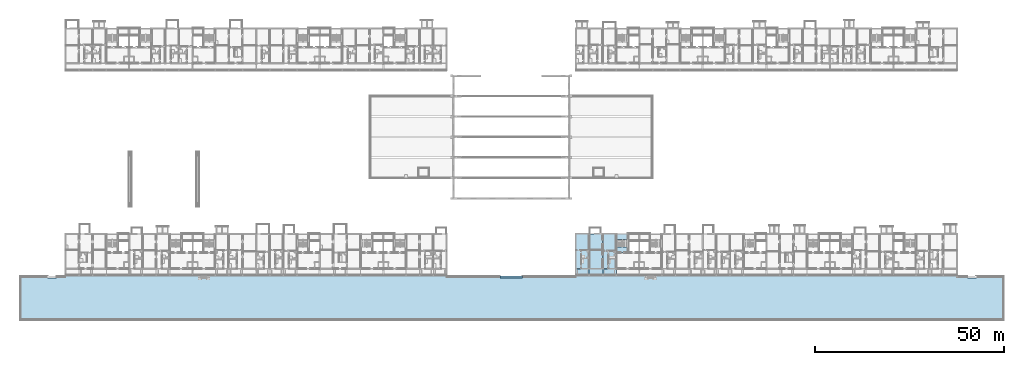
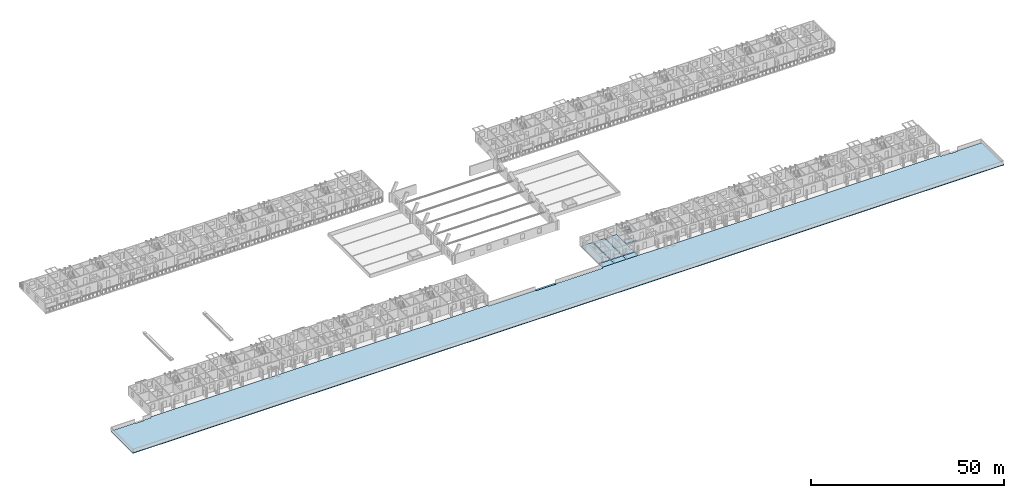
# One storey, part 35 of 115: 10 slabs, 1 element without a shape of its own.
"""IFC4 building model written with IfcOpenShell, lengths in metres."""

import ifcopenshell
import ifcopenshell.guid

model = None  # the IFC model being written
_history = None  # IfcOwnerHistory: only IFC2X3 demands one
_inside = {}  # id of a spatial element -> (the spatial element, [elements in it])
_under = {}  # id of a project, library or spatial element -> (it, [spatial elements below it])
_declared = {}  # id of a project -> (the project, [libraries it declares])
_typed = {}  # id of a type object -> (the type object, [elements of that type])
_made_of = {}  # id of a material, layer set ... -> (it, [elements and type objects made of it])


def new_model(schema):
    """Start an empty IFC model of exactly this schema.

    Asked for "IFC4X3", IfcOpenShell would pick the latest addendum, in which some entities
    have other attributes; the version numbers below select the first issue.
    IFC2X3 requires an IfcOwnerHistory on every rooted entity: one is made here for all.
    """
    global model, _history
    if schema == "IFC4X3":
        model = ifcopenshell.file(schema_version=(4, 3, 0, 0))
    else:
        model = ifcopenshell.file(schema=schema)
    _inside.clear()
    _under.clear()
    _declared.clear()
    _typed.clear()
    _made_of.clear()
    _history = None
    if model.schema == "IFC2X3":
        org = make("IfcOrganization", Name="unknown")
        user = make(
            "IfcPersonAndOrganization",
            ThePerson=make("IfcPerson", FamilyName="unknown"),
            TheOrganization=org,
        )
        app = make(
            "IfcApplication",
            ApplicationDeveloper=org,
            Version="unknown",
            ApplicationFullName="unknown",
            ApplicationIdentifier="unknown",
        )
        _history = make(
            "IfcOwnerHistory",
            OwningUser=user,
            OwningApplication=app,
            ChangeAction="ADDED",
            CreationDate=0,
        )
    return model


def make(cls, **values):
    """One entity of the class cls with the attributes given. An attribute that is None is left unset."""
    return model.create_entity(
        cls, **{name: value for name, value in values.items() if value is not None}
    )


def rooted(cls, **values):
    """An entity with a GlobalId (a new one), such as an element, a storey or a relation."""
    return make(cls, GlobalId=ifcopenshell.guid.new(), OwnerHistory=_history, **values)


def si_unit(unit_type, name, prefix=None):
    """IfcSIUnit, for example si_unit("LENGTHUNIT", "METRE", prefix="MILLI")."""
    return make("IfcSIUnit", UnitType=unit_type, Prefix=prefix, Name=name)


def assignment(units):
    """IfcUnitAssignment: the units of a project."""
    return None if units is None else make("IfcUnitAssignment", Units=units)


def point(xyz):
    """IfcCartesianPoint."""
    return None if xyz is None else make("IfcCartesianPoint", Coordinates=xyz)


def direction(xyz):
    """IfcDirection."""
    return None if xyz is None else make("IfcDirection", DirectionRatios=xyz)


def frame(location, z_axis=None, x_axis=None):
    """IfcAxis2Placement3D, a coordinate frame: its origin and axes. An axis left out is left unset."""
    return make(
        "IfcAxis2Placement3D",
        Location=point(location),
        Axis=direction(z_axis),
        RefDirection=direction(x_axis),
    )


def origin():
    """The frame at (0, 0, 0) with its axes left unset."""
    return frame((0.0, 0.0, 0.0))


def place(relative_to, where):
    """IfcLocalPlacement: puts the frame where relative to a parent placement (None: the world)."""
    return make(
        "IfcLocalPlacement", PlacementRelTo=relative_to, RelativePlacement=where
    )


def context(
    kind, dimensions, precision=None, world=None, true_north=None, identifier=None
):
    """IfcGeometricRepresentationContext, for example the 3D "Model" context."""
    return make(
        "IfcGeometricRepresentationContext",
        ContextIdentifier=identifier,
        ContextType=kind,
        CoordinateSpaceDimension=dimensions,
        Precision=precision,
        WorldCoordinateSystem=world,
        TrueNorth=true_north,
    )


def subcontext(parent, identifier, kind, view, scale=None):
    """IfcGeometricRepresentationSubContext, for example "Body" below "Model"."""
    return make(
        "IfcGeometricRepresentationSubContext",
        ContextIdentifier=identifier,
        ContextType=kind,
        ParentContext=parent,
        TargetScale=scale,
        TargetView=view,
    )


def project(units=None, contexts=None):
    """IfcProject with its units and contexts."""
    return rooted(
        "IfcProject",
        Name="project",
        RepresentationContexts=contexts,
        UnitsInContext=assignment(units),
    )


def spatial(cls, under=None, at=None, **own):
    """A site, building, storey or space (cls), placed at a placement, below another one or the project."""
    s = rooted(cls, ObjectPlacement=at, **own)
    if under is not None:
        _under.setdefault(under.id(), (under, []))[1].append(s)
    return s


def polyline(points):
    """IfcPolyline through the points."""
    return make("IfcPolyline", Points=[point(p) for p in points])


def outline(outer, holes=None, kind="AREA"):
    """IfcArbitraryClosedProfileDef: a profile drawn as a closed curve; with holes, ...WithVoids."""
    if holes is None:
        return make("IfcArbitraryClosedProfileDef", ProfileType=kind, OuterCurve=outer)
    return make(
        "IfcArbitraryProfileDefWithVoids",
        ProfileType=kind,
        OuterCurve=outer,
        InnerCurves=holes,
    )


def extrude(swept, where, along, depth):
    """IfcExtrudedAreaSolid: the profile swept, set in the frame where, extruded along a direction by depth."""
    return make(
        "IfcExtrudedAreaSolid",
        SweptArea=swept,
        Position=where,
        ExtrudedDirection=direction(along),
        Depth=depth,
    )


def shape(context_of_items, identifier, shape_type, items):
    """IfcShapeRepresentation: the items that make up one representation, for example the "Body"."""
    return make(
        "IfcShapeRepresentation",
        ContextOfItems=context_of_items,
        RepresentationIdentifier=identifier,
        RepresentationType=shape_type,
        Items=items,
    )


def material(Name=None, Category=None):
    """IfcMaterial."""
    return make("IfcMaterial", Name=Name, Category=Category)


def layer(
    of_material, thickness, ventilated=None, Name=None, Category=None, Priority=None
):
    """IfcMaterialLayer: one layer of a wall or slab, of a material (None: an air gap)."""
    return make(
        "IfcMaterialLayer",
        Material=of_material,
        LayerThickness=thickness,
        IsVentilated=ventilated,
        Name=Name,
        Category=Category,
        Priority=Priority,
    )


def layer_set(layers, Name=None):
    """IfcMaterialLayerSet."""
    return make("IfcMaterialLayerSet", MaterialLayers=layers, LayerSetName=Name)


def made_of(thing, what):
    """Note that an element or type object is made of a material, layer set ...; save() writes the relation."""
    if what is not None:
        _made_of.setdefault(what.id(), (what, []))[1].append(thing)
    return thing


def type_object(cls, material=None, **own):
    """A type object (cls), such as IfcWallType, which elements share."""
    return made_of(rooted(cls, **own), material)


def element(
    cls,
    number,
    at=None,
    inside=None,
    cuts=None,
    type_object=None,
    material=None,
    context=None,
    identifier="Body",
    shape_type=None,
    held_by="IfcProductDefinitionShape",
    body=None,
    shapes=None,
    **own,
):
    """One element of the class cls, such as IfcWall. Its Tag is "e" and its number.

    at: its placement. inside: the storey or other place that contains it. cuts: it is an
    opening in that element (IfcRelVoidsElement). A single representation is given by context,
    identifier, shape_type and body (its items); several are given by shapes. held_by: the class
    of the entity that holds the representations. save() writes the other relations.
    """
    e = rooted(cls, Tag="e%d" % number, ObjectPlacement=at, **own)
    if body is not None:
        shapes = [shape(context, identifier, shape_type, body)]
    if shapes is not None:
        e.Representation = make(held_by, Representations=shapes)
    if inside is not None:
        _inside.setdefault(inside.id(), (inside, []))[1].append(e)
    if cuts is not None:
        rooted(
            "IfcRelVoidsElement", RelatingBuildingElement=cuts, RelatedOpeningElement=e
        )
    if type_object is not None:
        _typed.setdefault(type_object.id(), (type_object, []))[1].append(e)
    return made_of(e, material)


def aggregate(whole, parts):
    """IfcRelAggregates: a whole, such as a stair, and the parts it consists of."""
    return rooted("IfcRelAggregates", RelatingObject=whole, RelatedObjects=parts)


def save(model, path):
    """Write the relations noted so far, then the file.

    IfcRelAggregates (storeys below a building ...), IfcRelContainedInSpatialStructure (elements
    in a storey), IfcRelDefinesByType, IfcRelAssociatesMaterial and IfcRelDeclares: one each for
    every whole, place, type object, material and project.
    """
    for whole, parts in _under.values():
        aggregate(whole, parts)
    for where, things in _inside.values():
        rooted(
            "IfcRelContainedInSpatialStructure",
            RelatedElements=things,
            RelatingStructure=where,
        )
    for kind, things in _typed.values():
        rooted("IfcRelDefinesByType", RelatedObjects=things, RelatingType=kind)
    for what, things in _made_of.values():
        rooted("IfcRelAssociatesMaterial", RelatedObjects=things, RelatingMaterial=what)
    for by, libraries in _declared.values():
        rooted("IfcRelDeclares", RelatingContext=by, RelatedDefinitions=libraries)
    model.write(path)


model = new_model("IFC4")

# Units and contexts
model_context = context("Model", 3, precision=1e-05, world=origin(), true_north=direction((0.0, 1.0)))
body_context = subcontext(model_context, "Body", "Model", "MODEL_VIEW")
ifc_project = project(units=[si_unit("LENGTHUNIT", "METRE"), si_unit("AREAUNIT", "SQUARE_METRE"), si_unit("VOLUMEUNIT", "CUBIC_METRE"), si_unit("PLANEANGLEUNIT", "RADIAN"), si_unit("MASSUNIT", "GRAM", prefix="KILO")], contexts=[model_context])

# Site, building, storey
site_placement = place(None, origin())
site = spatial("IfcSite", under=ifc_project, at=site_placement, CompositionType="ELEMENT")
building_placement = place(site_placement, origin())
building = spatial("IfcBuilding", under=site, at=building_placement, Name="Ridgestep Commons", CompositionType="ELEMENT")
storey_placement = place(building_placement, frame((0.0, 0.0, 6.0)))
storey = spatial("IfcBuildingStorey", under=building, at=storey_placement, Name="L02", CompositionType="ELEMENT", Elevation=6.0)

# Slabs
ifc_material_1 = material(Name="Precast concrete C50/60", Category="concrete")
ifc_layer_1 = layer(ifc_material_1, 0.25)
ifc_layer_set_1 = layer_set([ifc_layer_1], Name="Community south deck slab 250")
slab_type_1 = type_object("IfcSlabType", Name="Community south deck slab 250", PredefinedType="FLOOR", material=ifc_layer_set_1)
slab_1_placement = place(storey_placement, frame((0.0, 0.0, -0.25)))
element("IfcSlab", 1, at=slab_1_placement, inside=storey, type_object=slab_type_1, Name="South yard deck 250", PredefinedType="FLOOR", context=body_context, shape_type="SweptSolid", body=[
    extrude(outline(polyline([(0.001953125, 11.35009765625), (7.300048828125, 11.35009765625), (7.300048828125, 11.14990234375), (9.699951171875, 11.14990234375), (9.699951171875, 11.35009765625), (12.0, 11.35009765625), (12.0, 11.75), (112.800048828125, 11.75), (112.800048828125, 11.35009765625), (126.800048828125, 11.35009765625), (126.800048828125, 11.14990234375), (132.800048828125, 11.14990234375), (132.800048828125, 11.35009765625), (146.800048828125, 11.35009765625), (146.800048828125, 11.75), (247.60009765625, 11.75), (247.60009765625, 11.35009765625), (250.300048828125, 11.35009765625), (250.300048828125, 11.14990234375), (252.699951171875, 11.14990234375), (252.699951171875, 11.35009765625), (259.998046875, 11.35009765625), (259.998046875, 0.001953125), (0.001953125, 0.001953125), (0.001953125, 11.35009765625)])), origin(), (0.0, 0.0, 1.0), 0.25),
])
ifc_material_2 = material(Name="Concrete C30/37", Category="concrete")
ifc_layer_2 = layer(ifc_material_2, 0.199951171875)
ifc_layer_set_2 = layer_set([ifc_layer_2], Name="Community stair landing slab 200")
slab_type_2 = type_object("IfcSlabType", Name="Community stair landing slab 200", PredefinedType="LANDING", material=ifc_layer_set_2)
slab_2_placement = place(storey_placement, frame((0.0, 0.0, -0.199951171875)))
element("IfcSlab", 2, at=slab_2_placement, inside=storey, type_object=slab_type_2, Name="Arrival landing", PredefinedType="LANDING", context=body_context, shape_type="SweptSolid", body=[
    extrude(outline(polyline([(126.800048828125, 11.14990234375), (132.800048828125, 11.14990234375), (132.800048828125, 11.75), (126.800048828125, 11.75), (126.800048828125, 11.14990234375)])), origin(), (0.0, 0.0, 1.0), 0.199951171875),
])
ifc_material_3 = material(Name="Precast concrete C40/50", Category="concrete")
ifc_layer_3 = layer(ifc_material_3, 0.199951171875)
ifc_layer_set_3 = layer_set([ifc_layer_3], Name="Gallery slab 200")
slab_type_3 = type_object("IfcSlabType", Name="Gallery slab 200", PredefinedType="FLOOR", material=ifc_layer_set_3)
slab_3_placement = place(storey_placement, frame((0.0, 0.0, -0.199951171875)))
element("IfcSlab", 3, at=slab_3_placement, inside=storey, type_object=slab_type_3, Name="Gallery slab D1 L02", PredefinedType="FLOOR", context=body_context, shape_type="SweptSolid", body=[
    extrude(outline(polyline([(146.949951171875, 11.75), (150.27490234375, 11.75), (150.27490234375, 12.0), (150.39990234375, 12.0), (150.39990234375, 13.550048828125), (146.949951171875, 13.550048828125), (146.949951171875, 11.75)])), origin(), (0.0, 0.0, 1.0), 0.199951171875),
])
slab_4_placement = place(storey_placement, frame((0.0, 0.0, -0.199951171875)))
element("IfcSlab", 4, at=slab_4_placement, inside=storey, type_object=slab_type_3, Name="Gallery slab D1 L02", PredefinedType="FLOOR", context=body_context, shape_type="SweptSolid", body=[
    extrude(outline(polyline([(154.0, 13.550048828125), (150.39990234375, 13.550048828125), (150.39990234375, 12.0), (150.52490234375, 12.0), (150.52490234375, 11.75), (153.875, 11.75), (153.875, 12.0), (154.0, 12.0), (154.0, 13.550048828125)])), origin(), (0.0, 0.0, 1.0), 0.199951171875),
])
slab_5_placement = place(storey_placement, frame((0.0, 0.0, -0.199951171875)))
element("IfcSlab", 5, at=slab_5_placement, inside=storey, type_object=slab_type_3, Name="Gallery slab D1 L02", PredefinedType="FLOOR", context=body_context, shape_type="SweptSolid", body=[
    extrude(outline(polyline([(157.60009765625, 13.550048828125), (154.0, 13.550048828125), (154.0, 12.0), (154.125, 12.0), (154.125, 11.75), (157.47509765625, 11.75), (157.47509765625, 12.0), (157.60009765625, 12.0), (157.60009765625, 13.550048828125)])), origin(), (0.0, 0.0, 1.0), 0.199951171875),
])
ifc_material_4 = material(Name="Precast concrete C50/60", Category="concrete")
ifc_layer_4 = layer(ifc_material_4, 0.199951171875)
ifc_layer_set_4 = layer_set([ifc_layer_4], Name="Hollow-core plank 200")
slab_type_4 = type_object("IfcSlabType", Name="Hollow-core plank 200", PredefinedType="FLOOR", material=ifc_layer_set_4)
slab_6_placement = place(storey_placement, frame((0.0, 0.0, -0.199951171875)))
element("IfcSlab", 6, at=slab_6_placement, inside=storey, type_object=slab_type_4, Name="Floor plank D1T1 L02", PredefinedType="FLOOR", context=body_context, shape_type="SweptSolid", body=[
    extrude(outline(polyline([(150.27490234375, 13.75), (150.27490234375, 22.75), (146.949951171875, 22.75), (146.949951171875, 13.75), (150.27490234375, 13.75)])), origin(), (0.0, 0.0, 1.0), 0.199951171875),
])
slab_7_placement = place(storey_placement, frame((0.0, 0.0, -0.199951171875)))
element("IfcSlab", 7, at=slab_7_placement, inside=storey, type_object=slab_type_4, Name="Floor plank D1T2 L02", PredefinedType="FLOOR", context=body_context, shape_type="SweptSolid", body=[
    extrude(outline(polyline([(153.875, 13.75), (153.875, 22.75), (150.52490234375, 22.75), (150.52490234375, 13.75), (153.875, 13.75)])), origin(), (0.0, 0.0, 1.0), 0.199951171875),
])
slab_8_placement = place(storey_placement, frame((0.0, 0.0, -0.199951171875)))
element("IfcSlab", 8, at=slab_8_placement, inside=storey, type_object=slab_type_4, Name="Floor plank D1T3 L02", PredefinedType="FLOOR", context=body_context, shape_type="SweptSolid", body=[
    extrude(outline(polyline([(157.47509765625, 13.75), (157.47509765625, 22.75), (154.125, 22.75), (154.125, 13.75), (157.47509765625, 13.75)])), origin(), (0.0, 0.0, 1.0), 0.199951171875),
])
ifc_material_5 = material(Name="Precast concrete C50/60", Category="concrete")
ifc_layer_5 = layer(ifc_material_5, 0.25)
ifc_layer_set_5 = layer_set([ifc_layer_5], Name="Hollow-core plank 250")
slab_type_5 = type_object("IfcSlabType", Name="Hollow-core plank 250", PredefinedType="FLOOR", material=ifc_layer_set_5)
slab_9_placement = place(storey_placement, frame((0.0, 0.0, -0.25)))
element("IfcSlab", 9, at=slab_9_placement, inside=storey, type_object=slab_type_5, Name="Floor plank D1C L02", PredefinedType="FLOOR", context=body_context, shape_type="SweptSolid", body=[
    extrude(outline(polyline([(160.625, 17.949951171875), (160.625, 19.35009765625), (157.72509765625, 19.35009765625), (157.72509765625, 17.949951171875), (160.625, 17.949951171875)])), origin(), (0.0, 0.0, 1.0), 0.25),
])

# Stair, slab
ifc_material_6 = material(Name="Precast concrete C40/50", Category="concrete")
stair_type = type_object("IfcStairType", Name="Escape stair 1400", PredefinedType="HALF_TURN_STAIR", material=ifc_material_6)
stair_placement = place(storey_placement, origin())
stair = element("IfcStair", 10, at=stair_placement, inside=storey, type_object=stair_type, Name="L02 Escape stair D1C", PredefinedType="HALF_TURN_STAIR")
ifc_material_7 = material(Name="Precast concrete C40/50", Category="concrete")
ifc_layer_6 = layer(ifc_material_7, 0.199951171875)
ifc_layer_set_6 = layer_set([ifc_layer_6], Name="Stair landing 200")
slab_type_6 = type_object("IfcSlabType", Name="Stair landing 200", PredefinedType="LANDING", material=ifc_layer_set_6)
slab_10_placement = place(storey_placement, frame((0.0, 0.0, 1.300048828125)))
slab_10 = element("IfcSlab", 11, at=slab_10_placement, type_object=slab_type_6, Name="D1C landing 1", PredefinedType="LANDING", context=body_context, shape_type="SweptSolid", body=[
    extrude(outline(polyline([(160.625, 21.31005859375), (160.625, 22.75), (157.72509765625, 22.75), (157.72509765625, 21.31005859375), (160.625, 21.31005859375)])), origin(), (0.0, 0.0, 1.0), 0.199951171875),
])
aggregate(stair, [slab_10])

save(model, "model.ifc")
